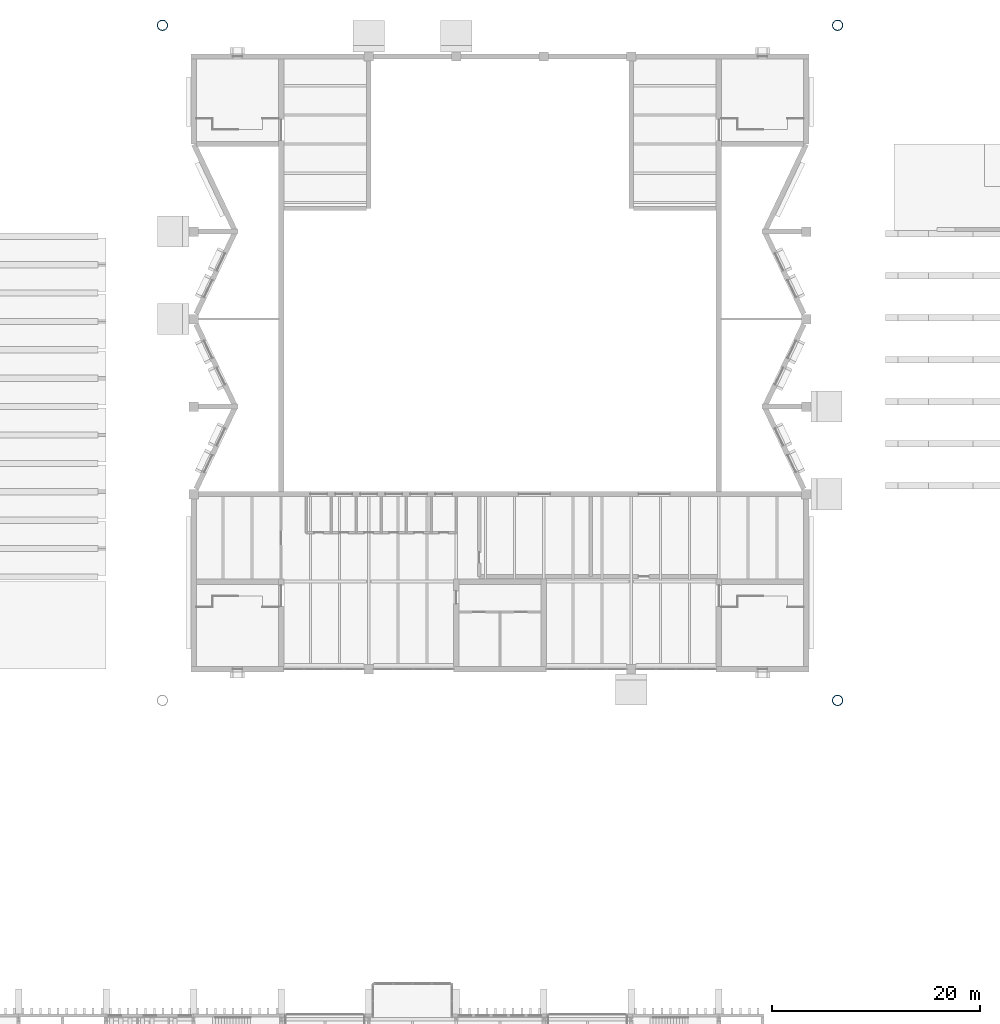
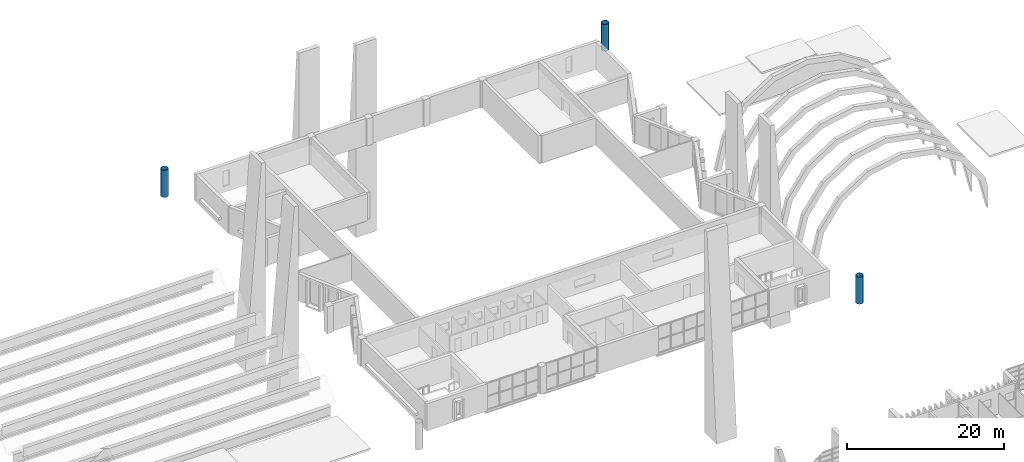
# One storey, part 10 of 88: 3 columns.
"""IFC4 building model written with IfcOpenShell, lengths in metres."""

from ifc_helpers import new_model, si_unit, direction, frame, origin, origin_2d, place, context, subcontext, project, spatial, hollow_circle, extrude, material, material_profile, profile_set, type_object, element, save


model = new_model("IFC4")

# Units and contexts
model_context = context("Model", 3, precision=1e-05, world=origin(), true_north=direction((0.0, 1.0)))
body_context = subcontext(model_context, "Body", "Model", "MODEL_VIEW")
ifc_project = project(units=[si_unit("LENGTHUNIT", "METRE"), si_unit("AREAUNIT", "SQUARE_METRE"), si_unit("VOLUMEUNIT", "CUBIC_METRE"), si_unit("PLANEANGLEUNIT", "RADIAN"), si_unit("MASSUNIT", "GRAM", prefix="KILO")], contexts=[model_context])

# Site, building, storey
site_placement = place(None, origin())
site = spatial("IfcSite", under=ifc_project, at=site_placement, CompositionType="ELEMENT")
building_placement = place(site_placement, origin())
building = spatial("IfcBuilding", under=site, at=building_placement, Name="Cresset Court Congress Hotel", CompositionType="ELEMENT")
storey_placement = place(building_placement, frame((0.0, 0.0, 14.39990234375)))
storey = spatial("IfcBuildingStorey", under=building, at=storey_placement, Name="L03", CompositionType="ELEMENT", Elevation=14.39990234375)

# Columns
ifc_material = material(Name="Structural steel Q355B", Category="steel")
ifc_material_profile = material_profile(ifc_material, hollow_circle(Radius=0.508056640625, WallThickness=0.050048828125, at=origin_2d()), Name="CHS1016x50")
ifc_profile_set = profile_set([ifc_material_profile], Name="Structural steel Q355B")
column_type = type_object("IfcColumnType", Name="Mast tube 1016x50", PredefinedType="COLUMN", material=ifc_profile_set)
for number, where, z_axis, x_axis, name in (
    (1, (120.60009765625, 55.800048828125, 0.0), (0.0, 0.0, 1.0), (1.0, 0.0, 0.0), "Mast M2"),
    (2, (120.60009765625, 120.60009765625, 0.0), (0.0, 0.0, 1.0), (1.0, 0.0, 0.0), "Mast M3"),
    (3, (55.800048828125, 120.60009765625, 0.0), (0.0, 0.0, 1.0), (1.0, 0.0, 0.0), "Mast M4"),
):
    element("IfcColumn", number, at=place(storey_placement, frame(where, z_axis=z_axis, x_axis=x_axis)), inside=storey, type_object=column_type, Name=name, PredefinedType="COLUMN", context=body_context, shape_type="SweptSolid", body=[
        extrude(hollow_circle(Radius=0.508056640625, WallThickness=0.050048828125, at=origin_2d()), origin(), (0.0, 0.0, 1.0), 4.2001953125),
    ])

save(model, "model.ifc")
